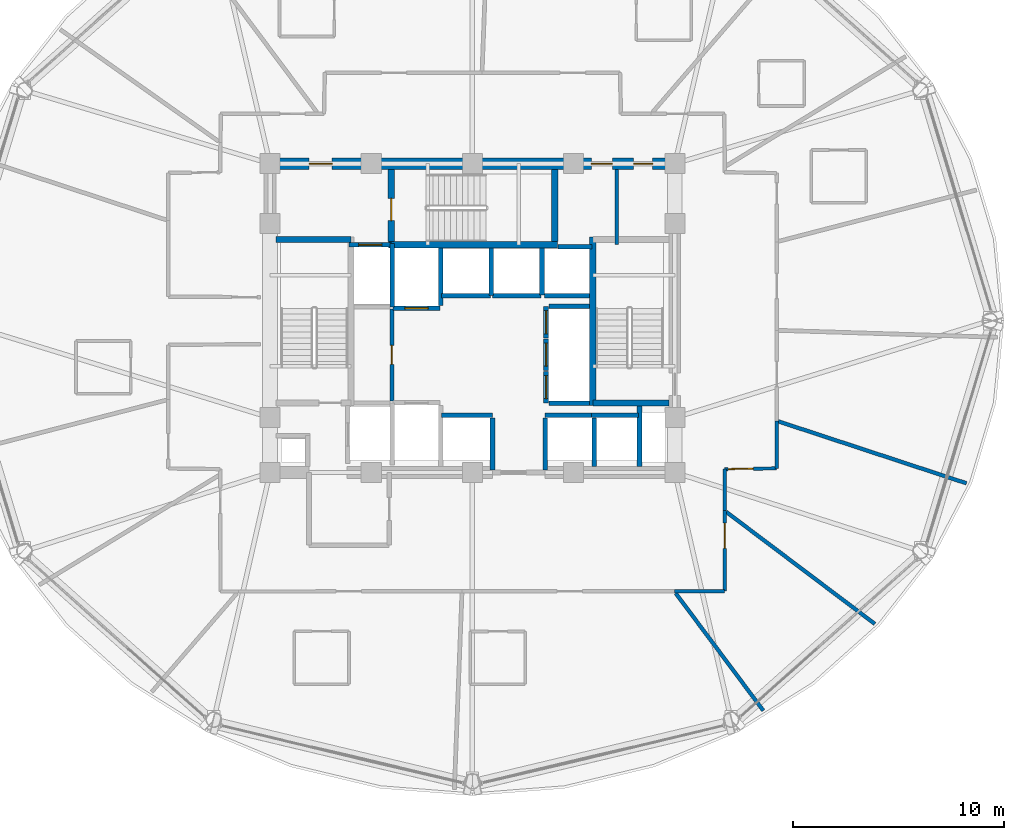
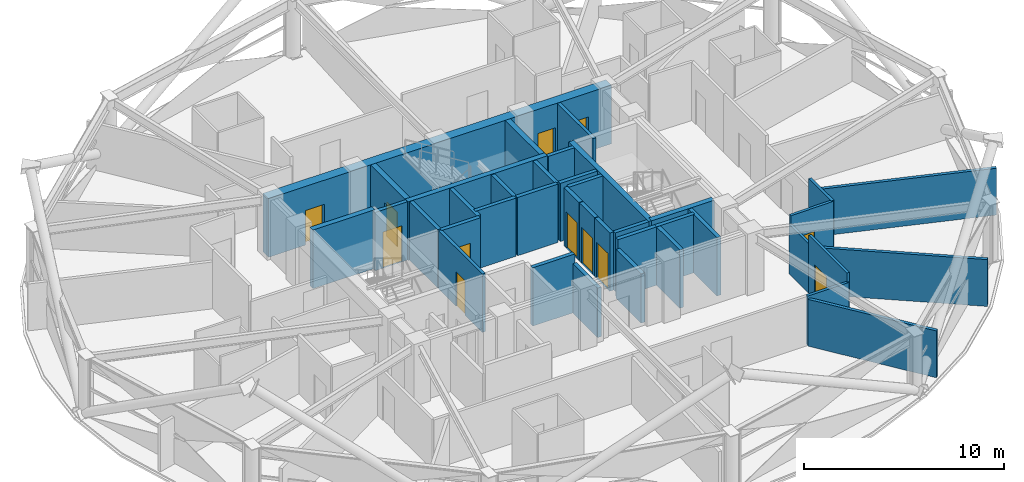
# One storey, part 23 of 29: 39 walls, 12 doors, 12 openings.
"""IFC4 building model written with IfcOpenShell, lengths in metres."""

from ifc_helpers import new_model, si_unit, direction, frame, frame_2d, origin, place, context, subcontext, project, spatial, rectangle, extrude, material, layer, layer_set, type_object, element, fill, save


model = new_model("IFC4")

# Units and contexts
model_context = context("Model", 3, precision=1e-05, world=origin(), true_north=direction((0.0, 1.0)))
body_context = subcontext(model_context, "Body", "Model", "MODEL_VIEW")
ifc_project = project(units=[si_unit("LENGTHUNIT", "METRE"), si_unit("AREAUNIT", "SQUARE_METRE"), si_unit("VOLUMEUNIT", "CUBIC_METRE"), si_unit("PLANEANGLEUNIT", "RADIAN"), si_unit("MASSUNIT", "GRAM", prefix="KILO")], contexts=[model_context])

# Site, building, storey
site_placement = place(None, origin())
site = spatial("IfcSite", under=ifc_project, at=site_placement, CompositionType="ELEMENT")
building_placement = place(site_placement, origin())
building = spatial("IfcBuilding", under=site, at=building_placement, Name="Vantalir Tower", CompositionType="ELEMENT")
storey_placement = place(building_placement, frame((0.0, 0.0, 164.699951171875)))
storey = spatial("IfcBuildingStorey", under=building, at=storey_placement, Name="L41", CompositionType="ELEMENT", Elevation=164.699951171875)

# Wall, openings, doors
ifc_material_1 = material(Name="Concrete C60/75", Category="concrete")
ifc_layer_1 = layer(ifc_material_1, 0.550048828125)
ifc_layer_set_1 = layer_set([ifc_layer_1], Name="Concrete C60/75")
wall_type_1 = type_object("IfcWallType", Name="WL-CORE-550", PredefinedType="SHEAR", material=ifc_layer_set_1)
wall_1_placement = place(storey_placement, frame((21.625, 32.449951171875, 0.0), z_axis=(0.0, 0.0, 1.0), x_axis=(1.0, 0.0, 0.0)))
wall_1 = element("IfcWall", 1, at=wall_1_placement, inside=storey, type_object=wall_type_1, Name="L41 Core Shear Wall North", PredefinedType="SHEAR", context=body_context, shape_type="SweptSolid", body=[
    extrude(rectangle(XDim=19.75, YDim=0.550048828125, at=frame_2d((9.875, 0.0))), origin(), (0.0, 0.0, 1.0), 3.570068359375),
])
opening_1_placement = place(wall_1_placement, frame((2.125, 0.0, 0.0)))
opening_1 = element("IfcOpeningElement", 2, at=opening_1_placement, cuts=wall_1, Name="Opening D-FFL", PredefinedType="OPENING", context=body_context, shape_type="SweptSolid", body=[
    extrude(rectangle(XDim=1.10009765625, YDim=2.10009765625, at=frame_2d((0.550048828125, 1.050048828125))), frame((0.0, 0.284912109375, 0.0), z_axis=(0.0, -1.0, 0.0), x_axis=(1.0, 0.0, 0.0)), (0.0, 0.0, 1.0), 0.570068359375),
])
opening_2_placement = place(wall_1_placement, frame((15.514892578125, 0.0, 0.0)))
opening_2 = element("IfcOpeningElement", 3, at=opening_2_placement, cuts=wall_1, Name="Opening D-GUEST", PredefinedType="OPENING", context=body_context, shape_type="SweptSolid", body=[
    extrude(rectangle(XDim=1.0, YDim=2.10009765625, at=frame_2d((0.5, 1.050048828125))), frame((0.0, 0.284912109375, 0.0), z_axis=(0.0, -1.0, 0.0), x_axis=(1.0, 0.0, 0.0)), (0.0, 0.0, 1.0), 0.570068359375),
])
opening_3_placement = place(wall_1_placement, frame((17.52490234375, 0.0, 0.0)))
opening_3 = element("IfcOpeningElement", 4, at=opening_3_placement, cuts=wall_1, Name="Opening D-CR", PredefinedType="OPENING", context=body_context, shape_type="SweptSolid", body=[
    extrude(rectangle(XDim=0.89990234375, YDim=2.10009765625, at=frame_2d((0.449951171875, 1.050048828125))), frame((0.0, 0.284912109375, 0.0), z_axis=(0.0, -1.0, 0.0), x_axis=(1.0, 0.0, 0.0)), (0.0, 0.0, 1.0), 0.570068359375),
])
ifc_material_2 = material(Name="Fire-rated steel core service door", Category="steel")
door_type_1 = type_object("IfcDoorType", Name="DR-CORE-SERV-900", OperationType="NOTDEFINED", PredefinedType="DOOR", material=ifc_material_2)
door_1_placement = place(opening_3_placement, frame((0.89990234375, 0.0, 0.0), z_axis=(0.0, 0.0, 1.0), x_axis=(-1.0, 0.0, 0.0)))
door_1 = element("IfcDoor", 5, at=door_1_placement, inside=storey, type_object=door_type_1, Name="L41 Housekeeping and Linen Room Door", OperationType="SINGLE_SWING_RIGHT", OverallHeight=2.10009765625, OverallWidth=0.89990234375, PredefinedType="DOOR", context=body_context, shape_type="SweptSolid", body=[
    extrude(rectangle(XDim=0.89990234375, YDim=2.10009765625, at=frame_2d((0.449951171875, 1.050048828125))), frame((0.0, 0.02490234375, 0.0), z_axis=(0.0, -1.0, 0.0), x_axis=(1.0, 0.0, 0.0)), (0.0, 0.0, 1.0), 0.050048828125),
])
fill(opening_3, door_1)
ifc_material_3 = material(Name="Fire-rated acoustic steel door", Category="steel")
door_type_2 = type_object("IfcDoorType", Name="DR-FIRE-LOBBY-1100", OperationType="NOTDEFINED", PredefinedType="DOOR", material=ifc_material_3)
door_2_placement = place(opening_1_placement, frame((1.10009765625, 0.0, 0.0), z_axis=(0.0, 0.0, 1.0), x_axis=(-1.0, 0.0, 0.0)))
door_2 = element("IfcDoor", 6, at=door_2_placement, inside=storey, type_object=door_type_2, Name="L41 Firefighting Lobby East Access Door", OperationType="SINGLE_SWING_LEFT", OverallHeight=2.10009765625, OverallWidth=1.10009765625, PredefinedType="DOOR", context=body_context, shape_type="SweptSolid", body=[
    extrude(rectangle(XDim=1.10009765625, YDim=2.10009765625, at=frame_2d((0.550048828125, 1.050048828125))), frame((0.0, 0.02490234375, 0.0), z_axis=(0.0, -1.0, 0.0), x_axis=(1.0, 0.0, 0.0)), (0.0, 0.0, 1.0), 0.050048828125),
])
fill(opening_1, door_2)
ifc_material_4 = material(Name="Solid-core teak veneer acoustic fire door", Category="wood")
door_type_3 = type_object("IfcDoorType", Name="DR-GUEST-ENTRY-1000", OperationType="NOTDEFINED", PredefinedType="DOOR", material=ifc_material_4)
door_3_placement = place(opening_2_placement, frame((1.0, 0.0, 0.0), z_axis=(0.0, 0.0, 1.0), x_axis=(-1.0, 0.0, 0.0)))
door_3 = element("IfcDoor", 7, at=door_3_placement, inside=storey, type_object=door_type_3, Name="L41 High-Rise Lift Lobby Door", OperationType="SINGLE_SWING_LEFT", OverallHeight=2.10009765625, OverallWidth=1.0, PredefinedType="DOOR", context=body_context, shape_type="SweptSolid", body=[
    extrude(rectangle(XDim=1.0, YDim=2.10009765625, at=frame_2d((0.5, 1.050048828125))), frame((0.0, 0.02490234375, 0.0), z_axis=(0.0, -1.0, 0.0), x_axis=(1.0, 0.0, 0.0)), (0.0, 0.0, 1.0), 0.050048828125),
])
fill(opening_2, door_3)

# Wall
ifc_material_5 = material(Name="Fire-rated hotel corridor acoustic partition", Category="gypsum")
ifc_layer_2 = layer(ifc_material_5, 0.159912109375)
ifc_layer_set_2 = layer_set([ifc_layer_2], Name="Fire-rated hotel corridor acoustic partition")
wall_type_2 = type_object("IfcWallType", Name="WL-CORR-160", PredefinedType="PARTITIONING", material=ifc_layer_set_2)
wall_2_placement = place(storey_placement, frame((45.925048828125, 20.251953125, 0.0), z_axis=(0.0, 0.0, 1.0), x_axis=(0.0, -1.0, 0.0)))
element("IfcWall", 8, at=wall_2_placement, inside=storey, type_object=wall_type_2, Name="L41 Corridor Partition 19", PredefinedType="PARTITIONING", context=body_context, shape_type="SweptSolid", body=[
    extrude(rectangle(XDim=2.255859375, YDim=0.159912109375, at=frame_2d((1.1279296875, 0.0))), origin(), (0.0, 0.0, 1.0), 3.550048828125),
])

# Wall, opening, door
wall_3_placement = place(storey_placement, frame((45.925048828125, 17.99609375, 0.0), z_axis=(0.0, 0.0, 1.0), x_axis=(-0.999892143369, -0.014686784162, 0.0)))
wall_3 = element("IfcWall", 9, at=wall_3_placement, inside=storey, type_object=wall_type_2, Name="L41 Corridor Partition 20", PredefinedType="PARTITIONING", context=body_context, shape_type="SweptSolid", body=[
    extrude(rectangle(XDim=2.460205078125, YDim=0.159912109375, at=frame_2d((1.22998046875, 0.0))), origin(), (0.0, 0.0, 1.0), 3.550048828125),
])
opening_4_placement = place(wall_3_placement, frame((1.10009765625, 0.0, 0.0)))
opening_4 = element("IfcOpeningElement", 10, at=opening_4_placement, cuts=wall_3, Name="Opening D-STE", PredefinedType="OPENING", context=body_context, shape_type="SweptSolid", body=[
    extrude(rectangle(XDim=1.199951171875, YDim=2.10009765625, at=frame_2d((0.60009765625, 1.050048828125))), frame((0.0, 0.08984375, 0.0), z_axis=(0.0, -1.0, 0.0), x_axis=(1.0, 0.0, 0.0)), (0.0, 0.0, 1.0), 0.179931640625),
])
ifc_material_6 = material(Name="Solid-core teak veneer suite entrance door", Category="wood")
door_type_4 = type_object("IfcDoorType", Name="DR-SUITE-ENTRY-1200", OperationType="NOTDEFINED", PredefinedType="DOOR", material=ifc_material_6)
door_4_placement = place(opening_4_placement, origin())
door_4 = element("IfcDoor", 11, at=door_4_placement, inside=storey, type_object=door_type_4, Name="L41 Club Reading Lounge 13 Door", OperationType="SINGLE_SWING_RIGHT", OverallHeight=2.10009765625, OverallWidth=1.199951171875, PredefinedType="DOOR", context=body_context, shape_type="SweptSolid", body=[
    extrude(rectangle(XDim=1.199951171875, YDim=2.10009765625, at=frame_2d((0.60009765625, 1.050048828125))), frame((0.0, 0.02490234375, 0.0), z_axis=(0.0, -1.0, 0.0), x_axis=(1.0, 0.0, 0.0)), (0.0, 0.0, 1.0), 0.050048828125),
])
fill(opening_4, door_4)

# Wall
wall_4_placement = place(storey_placement, frame((43.465087890625, 17.9599609375, 0.0), z_axis=(0.0, 0.0, 1.0), x_axis=(-0.001113722858, -0.999999379811, 0.0)))
element("IfcWall", 12, at=wall_4_placement, inside=storey, type_object=wall_type_2, Name="L41 Corridor Partition 21", PredefinedType="PARTITIONING", context=body_context, shape_type="SweptSolid", body=[
    extrude(rectangle(XDim=1.972900390625, YDim=0.159912109375, at=frame_2d((0.986328125, 0.0))), origin(), (0.0, 0.0, 1.0), 3.006103515625),
])

# Wall, opening, door
wall_5_placement = place(storey_placement, frame((43.462890625, 15.987060546875, 0.0), z_axis=(0.0, 0.0, 1.0), x_axis=(-0.001278526092, -0.999999182685, 0.0)))
wall_5 = element("IfcWall", 13, at=wall_5_placement, inside=storey, type_object=wall_type_2, Name="L41 Corridor Partition 22", PredefinedType="PARTITIONING", context=body_context, shape_type="SweptSolid", body=[
    extrude(rectangle(XDim=3.819091796875, YDim=0.159912109375, at=frame_2d((1.90966796875, 0.0))), origin(), (0.0, 0.0, 1.0), 3.550048828125),
])
opening_5_placement = place(wall_5_placement, frame((0.591064453125, 0.0, 0.0)))
opening_5 = element("IfcOpeningElement", 14, at=opening_5_placement, cuts=wall_5, Name="Opening D-STE", PredefinedType="OPENING", context=body_context, shape_type="SweptSolid", body=[
    extrude(rectangle(XDim=1.199951171875, YDim=2.10009765625, at=frame_2d((0.60009765625, 1.050048828125))), frame((0.0, 0.08984375, 0.0), z_axis=(0.0, -1.0, 0.0), x_axis=(1.0, 0.0, 0.0)), (0.0, 0.0, 1.0), 0.179931640625),
])
door_5_placement = place(opening_5_placement, origin())
door_5 = element("IfcDoor", 15, at=door_5_placement, inside=storey, type_object=door_type_4, Name="L41 Executive Business Study 12 Door", OperationType="SINGLE_SWING_LEFT", OverallHeight=2.10009765625, OverallWidth=1.199951171875, PredefinedType="DOOR", context=body_context, shape_type="SweptSolid", body=[
    extrude(rectangle(XDim=1.199951171875, YDim=2.10009765625, at=frame_2d((0.60009765625, 1.050048828125))), frame((0.0, 0.02490234375, 0.0), z_axis=(0.0, -1.0, 0.0), x_axis=(1.0, 0.0, 0.0)), (0.0, 0.0, 1.0), 0.050048828125),
])
fill(opening_5, door_5)

# Walls
wall_6_placement = place(storey_placement, frame((43.4580078125, 12.16796875, 0.0), z_axis=(0.0, 0.0, 1.0), x_axis=(-0.99999991624, -0.000409290869, 0.0)))
element("IfcWall", 16, at=wall_6_placement, inside=storey, type_object=wall_type_2, Name="L41 Corridor Partition 23", PredefinedType="PARTITIONING", context=body_context, shape_type="SweptSolid", body=[
    extrude(rectangle(XDim=2.385986328125, YDim=0.159912109375, at=frame_2d((1.19287109375, 0.0))), origin(), (0.0, 0.0, 1.0), 3.006103515625),
])
ifc_material_7 = material(Name="Concrete blockwork with fireboard lining", Category="masonry")
ifc_layer_3 = layer(ifc_material_7, 0.219970703125)
ifc_layer_set_3 = layer_set([ifc_layer_3], Name="Concrete blockwork with fireboard lining")
wall_type_3 = type_object("IfcWallType", Name="WL-FFL-220", PredefinedType="PARTITIONING", material=ifc_layer_set_3)
for number, where, z_axis, x_axis, name in (
    (17, (32.449951171875, 17.919921875, 0.0), (0.0, 0.0, 1.0), (0.0, 1.0, 0.0), "L41 Shuttle Lift PL-X1 East Shaft Cheek"),
    (18, (34.949951171875, 17.919921875, 0.0), (0.0, 0.0, 1.0), (0.0, 1.0, 0.0), "L41 Shuttle Lift PL-X3 West Shaft Cheek"),
):
    element("IfcWall", number, at=place(storey_placement, frame(where, z_axis=z_axis, x_axis=x_axis)), inside=storey, type_object=wall_type_3, Name=name, PredefinedType="PARTITIONING", context=body_context, shape_type="SweptSolid", body=[
        extrude(rectangle(XDim=2.469970703125, YDim=0.219970703125, at=frame_2d((1.23486328125, 0.0))), origin(), (0.0, 0.0, 1.0), 3.006103515625),
    ])
wall_7_placement = place(storey_placement, frame((37.27490234375, 18.080078125, 0.0), z_axis=(0.0, 0.0, 1.0), x_axis=(0.0, 1.0, 0.0)))
element("IfcWall", 19, at=wall_7_placement, inside=storey, type_object=wall_type_3, Name="L41 Shuttle Lift PL-X2/X3 Shaft Divider", PredefinedType="PARTITIONING", context=body_context, shape_type="SweptSolid", body=[
    extrude(rectangle(XDim=2.309814453125, YDim=0.219970703125, at=frame_2d((1.15478515625, 0.0))), origin(), (0.0, 0.0, 1.0), 3.545166015625),
])
wall_8_placement = place(storey_placement, frame((30.0, 25.7099609375, 0.0), z_axis=(0.0, 0.0, 1.0), x_axis=(0.0, 1.0, 0.0)))
element("IfcWall", 20, at=wall_8_placement, inside=storey, type_object=wall_type_3, Name="L41 Service Lift SV2 East Shaft Wall", PredefinedType="PARTITIONING", context=body_context, shape_type="SweptSolid", body=[
    extrude(rectangle(XDim=2.72998046875, YDim=0.219970703125, at=frame_2d((1.364990234375, 0.0))), origin(), (0.0, 0.0, 1.0), 3.545166015625),
])
wall_9_placement = place(storey_placement, frame((32.39990234375, 26.199951171875, 0.0), z_axis=(0.0, 0.0, 1.0), x_axis=(0.0, 1.0, 0.0)))
element("IfcWall", 21, at=wall_9_placement, inside=storey, type_object=wall_type_3, Name="L41 High-Rise Lift PL-H1/H2 Shaft Divider", PredefinedType="PARTITIONING", context=body_context, shape_type="SweptSolid", body=[
    extrude(rectangle(XDim=2.239990234375, YDim=0.219970703125, at=frame_2d((1.1201171875, 0.0))), origin(), (0.0, 0.0, 1.0), 3.545166015625),
])
wall_10_placement = place(storey_placement, frame((34.800048828125, 26.22998046875, 0.0), z_axis=(0.0, 0.0, 1.0), x_axis=(0.0, 1.0, 0.0)))
element("IfcWall", 22, at=wall_10_placement, inside=storey, type_object=wall_type_3, Name="L41 High-Rise Lift PL-H2/H3 Shaft Divider", PredefinedType="PARTITIONING", context=body_context, shape_type="SweptSolid", body=[
    extrude(rectangle(XDim=2.2099609375, YDim=0.219970703125, at=frame_2d((1.10498046875, 0.0))), origin(), (0.0, 0.0, 1.0), 3.545166015625),
])
wall_11_placement = place(storey_placement, frame((34.909912109375, 26.18994140625, 0.0), z_axis=(0.0, 0.0, 1.0), x_axis=(1.0, 0.0, 0.0)))
element("IfcWall", 23, at=wall_11_placement, inside=storey, type_object=wall_type_3, Name="L41 High-Rise Lift PL-H3 Rear Shaft Wall", PredefinedType="PARTITIONING", context=body_context, shape_type="SweptSolid", body=[
    extrude(rectangle(XDim=2.14013671875, YDim=0.219970703125, at=frame_2d((1.070068359375, 0.0))), origin(), (0.0, 0.0, 1.0), 3.545166015625),
])
wall_12_placement = place(storey_placement, frame((39.419921875, 18.074951171875, 0.0), z_axis=(0.0, 0.0, 1.0), x_axis=(0.0, 1.0, 0.0)))
element("IfcWall", 24, at=wall_12_placement, inside=storey, type_object=wall_type_3, Name="L41 East MEP Riser Wall W", PredefinedType="PARTITIONING", context=body_context, shape_type="SweptSolid", body=[
    extrude(rectangle(XDim=2.875, YDim=0.219970703125, at=frame_2d((1.4375, 0.0))), origin(), (0.0, 0.0, 1.0), 3.550048828125),
])

# Wall, opening, door
wall_13_placement = place(storey_placement, frame((25.639892578125, 28.610107421875, 0.0), z_axis=(0.0, 0.0, 1.0), x_axis=(1.0, 0.0, 0.0)))
wall_13 = element("IfcWall", 25, at=wall_13_placement, inside=storey, type_object=wall_type_3, Name="L41 Lift FL2 Shaft Front Wall", PredefinedType="PARTITIONING", context=body_context, shape_type="SweptSolid", body=[
    extrude(rectangle(XDim=2.02001953125, YDim=0.219970703125, at=frame_2d((1.010009765625, 0.0))), origin(), (0.0, 0.0, 1.0), 3.550048828125),
])
opening_6_placement = place(wall_13_placement, frame((0.4599609375, 0.0, 0.0)))
opening_6 = element("IfcOpeningElement", 26, at=opening_6_placement, cuts=wall_13, Name="Opening LD-FL2", PredefinedType="OPENING", context=body_context, shape_type="SweptSolid", body=[
    extrude(rectangle(XDim=1.10009765625, YDim=2.199951171875, at=frame_2d((0.550048828125, 1.10009765625))), frame((0.0, 0.119873046875, 0.0), z_axis=(0.0, -1.0, 0.0), x_axis=(1.0, 0.0, 0.0)), (0.0, 0.0, 1.0), 0.239990234375),
])
ifc_material_8 = material(Name="Brushed stainless-steel sliding lift landing door", Category="steel")
door_type_5 = type_object("IfcDoorType", Name="DR-LIFT-LANDING-1100", OperationType="DOUBLE_DOOR_SLIDING", PredefinedType="DOOR", material=ifc_material_8)
door_6_placement = place(opening_6_placement, origin())
door_6 = element("IfcDoor", 27, at=door_6_placement, inside=storey, type_object=door_type_5, Name="L41 Lift Landing Door FL2", OperationType="DOUBLE_DOOR_SLIDING", OverallHeight=2.199951171875, OverallWidth=1.10009765625, PredefinedType="DOOR", context=body_context, shape_type="SweptSolid", body=[
    extrude(rectangle(XDim=1.10009765625, YDim=2.199951171875, at=frame_2d((0.550048828125, 1.10009765625))), frame((0.0, 0.02490234375, 0.0), z_axis=(0.0, -1.0, 0.0), x_axis=(1.0, 0.0, 0.0)), (0.0, 0.0, 1.0), 0.050048828125),
])
fill(opening_6, door_6)

wall_14_placement = place(storey_placement, frame((27.739990234375, 25.590087890625, 0.0), z_axis=(0.0, 0.0, 1.0), x_axis=(1.0, 0.0, 0.0)))
wall_14 = element("IfcWall", 28, at=wall_14_placement, inside=storey, type_object=wall_type_3, Name="L41 Lift SV2 Shaft Front Wall", PredefinedType="PARTITIONING", context=body_context, shape_type="SweptSolid", body=[
    extrude(rectangle(XDim=2.219970703125, YDim=0.219970703125, at=frame_2d((1.10986328125, 0.0))), origin(), (0.0, 0.0, 1.0), 3.550048828125),
])
opening_7_placement = place(wall_14_placement, frame((0.56005859375, 0.0, 0.0)))
opening_7 = element("IfcOpeningElement", 29, at=opening_7_placement, cuts=wall_14, Name="Opening LD-SV2", PredefinedType="OPENING", context=body_context, shape_type="SweptSolid", body=[
    extrude(rectangle(XDim=1.10009765625, YDim=2.199951171875, at=frame_2d((0.550048828125, 1.10009765625))), frame((0.0, 0.119873046875, 0.0), z_axis=(0.0, -1.0, 0.0), x_axis=(1.0, 0.0, 0.0)), (0.0, 0.0, 1.0), 0.239990234375),
])
door_7_placement = place(opening_7_placement, frame((1.10009765625, 0.0, 0.0), z_axis=(0.0, 0.0, 1.0), x_axis=(-1.0, 0.0, 0.0)))
door_7 = element("IfcDoor", 30, at=door_7_placement, inside=storey, type_object=door_type_5, Name="L41 Lift Landing Door SV2", OperationType="DOUBLE_DOOR_SLIDING", OverallHeight=2.199951171875, OverallWidth=1.10009765625, PredefinedType="DOOR", context=body_context, shape_type="SweptSolid", body=[
    extrude(rectangle(XDim=1.10009765625, YDim=2.199951171875, at=frame_2d((0.550048828125, 1.10009765625))), frame((0.0, 0.02490234375, 0.0), z_axis=(0.0, -1.0, 0.0), x_axis=(1.0, 0.0, 0.0)), (0.0, 0.0, 1.0), 0.050048828125),
])
fill(opening_7, door_7)

# Walls
wall_15_placement = place(storey_placement, frame((30.0400390625, 20.510009765625, 0.0), z_axis=(0.0, 0.0, 1.0), x_axis=(1.0, 0.0, 0.0)))
element("IfcWall", 31, at=wall_15_placement, inside=storey, type_object=wall_type_3, Name="L41 Lift PL-X1 Shaft Front Wall", PredefinedType="PARTITIONING", context=body_context, shape_type="SweptSolid", body=[
    extrude(rectangle(XDim=2.419921875, YDim=0.219970703125, at=frame_2d((1.2099609375, 0.0))), origin(), (0.0, 0.0, 1.0), 3.550048828125),
])
for number, where, z_axis, x_axis, name in (
    (32, (37.139892578125, 20.510009765625, 0.0), (0.0, 0.0, 1.0), (1.0, 0.0, 0.0), "L41 Lift PL-X2 Shaft Rear Wall"),
    (33, (34.93994140625, 20.510009765625, 0.0), (0.0, 0.0, 1.0), (1.0, 0.0, 0.0), "L41 Lift PL-X3 Shaft Front Wall"),
):
    element("IfcWall", number, at=place(storey_placement, frame(where, z_axis=z_axis, x_axis=x_axis)), inside=storey, type_object=wall_type_3, Name=name, PredefinedType="PARTITIONING", context=body_context, shape_type="SweptSolid", body=[
        extrude(rectangle(XDim=2.239990234375, YDim=0.219970703125, at=frame_2d((1.1201171875, 0.0))), origin(), (0.0, 0.0, 1.0), 3.550048828125),
    ])
for number, where, z_axis, x_axis, name in (
    (34, (30.0400390625, 26.18994140625, 0.0), (0.0, 0.0, 1.0), (1.0, 0.0, 0.0), "L41 Lift PL-H1 Shaft Front Wall"),
    (35, (32.43994140625, 26.18994140625, 0.0), (0.0, 0.0, 1.0), (1.0, 0.0, 0.0), "L41 Lift PL-H2 Shaft Front Wall"),
):
    element("IfcWall", number, at=place(storey_placement, frame(where, z_axis=z_axis, x_axis=x_axis)), inside=storey, type_object=wall_type_3, Name=name, PredefinedType="PARTITIONING", context=body_context, shape_type="SweptSolid", body=[
        extrude(rectangle(XDim=2.320068359375, YDim=0.219970703125, at=frame_2d((1.16015625, 0.0))), origin(), (0.0, 0.0, 1.0), 3.550048828125),
    ])
wall_16_placement = place(storey_placement, frame((35.56005859375, 28.510009765625, 0.0), z_axis=(0.0, 0.0, 1.0), x_axis=(1.0, 0.0, 0.0)))
element("IfcWall", 36, at=wall_16_placement, inside=storey, type_object=wall_type_3, Name="L41 Lift PL-H3 Shaft Front Wall", PredefinedType="PARTITIONING", context=body_context, shape_type="SweptSolid", body=[
    extrude(rectangle(XDim=1.599853515625, YDim=0.219970703125, at=frame_2d((0.7998046875, 0.0))), origin(), (0.0, 0.0, 1.0), 3.550048828125),
])

# Wall, opening, door
wall_17_placement = place(storey_placement, frame((34.989990234375, 21.10009765625, 0.0), z_axis=(0.0, 0.0, 1.0), x_axis=(0.0, 1.0, 0.0)))
wall_17 = element("IfcWall", 37, at=wall_17_placement, inside=storey, type_object=wall_type_3, Name="L41 Lift PL-M1 Shaft Front Wall", PredefinedType="PARTITIONING", context=body_context, shape_type="SweptSolid", body=[
    extrude(rectangle(XDim=1.5, YDim=0.219970703125, at=frame_2d((0.75, 0.0))), origin(), (0.0, 0.0, 1.0), 3.550048828125),
])
opening_8_placement = place(wall_17_placement, frame((0.199951171875, 0.0, 0.0)))
opening_8 = element("IfcOpeningElement", 38, at=opening_8_placement, cuts=wall_17, Name="Opening LD-PL-M1", PredefinedType="OPENING", context=body_context, shape_type="SweptSolid", body=[
    extrude(rectangle(XDim=1.10009765625, YDim=2.199951171875, at=frame_2d((0.550048828125, 1.10009765625))), frame((0.0, 0.119873046875, 0.0), z_axis=(0.0, -1.0, 0.0), x_axis=(1.0, 0.0, 0.0)), (0.0, 0.0, 1.0), 0.239990234375),
])
door_8_placement = place(opening_8_placement, origin())
door_8 = element("IfcDoor", 39, at=door_8_placement, inside=storey, type_object=door_type_5, Name="L41 Lift Landing Door PL-M1", OperationType="DOUBLE_DOOR_SLIDING", OverallHeight=2.199951171875, OverallWidth=1.10009765625, PredefinedType="DOOR", context=body_context, shape_type="SweptSolid", body=[
    extrude(rectangle(XDim=1.10009765625, YDim=2.199951171875, at=frame_2d((0.550048828125, 1.10009765625))), frame((0.0, 0.02490234375, 0.0), z_axis=(0.0, -1.0, 0.0), x_axis=(1.0, 0.0, 0.0)), (0.0, 0.0, 1.0), 0.050048828125),
])
fill(opening_8, door_8)

wall_18_placement = place(storey_placement, frame((34.989990234375, 22.639892578125, 0.0), z_axis=(0.0, 0.0, 1.0), x_axis=(0.0, 1.0, 0.0)))
wall_18 = element("IfcWall", 40, at=wall_18_placement, inside=storey, type_object=wall_type_3, Name="L41 Lift PL-M2 Shaft Front Wall", PredefinedType="PARTITIONING", context=body_context, shape_type="SweptSolid", body=[
    extrude(rectangle(XDim=1.5, YDim=0.219970703125, at=frame_2d((0.75, 0.0))), origin(), (0.0, 0.0, 1.0), 3.550048828125),
])
opening_9_placement = place(wall_18_placement, frame((0.199951171875, 0.0, 0.0)))
opening_9 = element("IfcOpeningElement", 41, at=opening_9_placement, cuts=wall_18, Name="Opening LD-PL-M2", PredefinedType="OPENING", context=body_context, shape_type="SweptSolid", body=[
    extrude(rectangle(XDim=1.10009765625, YDim=2.199951171875, at=frame_2d((0.550048828125, 1.10009765625))), frame((0.0, 0.119873046875, 0.0), z_axis=(0.0, -1.0, 0.0), x_axis=(1.0, 0.0, 0.0)), (0.0, 0.0, 1.0), 0.239990234375),
])
door_9_placement = place(opening_9_placement, origin())
door_9 = element("IfcDoor", 42, at=door_9_placement, inside=storey, type_object=door_type_5, Name="L41 Lift Landing Door PL-M2", OperationType="DOUBLE_DOOR_SLIDING", OverallHeight=2.199951171875, OverallWidth=1.10009765625, PredefinedType="DOOR", context=body_context, shape_type="SweptSolid", body=[
    extrude(rectangle(XDim=1.10009765625, YDim=2.199951171875, at=frame_2d((0.550048828125, 1.10009765625))), frame((0.0, 0.02490234375, 0.0), z_axis=(0.0, -1.0, 0.0), x_axis=(1.0, 0.0, 0.0)), (0.0, 0.0, 1.0), 0.050048828125),
])
fill(opening_9, door_9)

wall_19_placement = place(storey_placement, frame((34.989990234375, 24.179931640625, 0.0), z_axis=(0.0, 0.0, 1.0), x_axis=(0.0, 1.0, 0.0)))
wall_19 = element("IfcWall", 43, at=wall_19_placement, inside=storey, type_object=wall_type_3, Name="L41 Lift PL-M3 Shaft Front Wall", PredefinedType="PARTITIONING", context=body_context, shape_type="SweptSolid", body=[
    extrude(rectangle(XDim=1.5, YDim=0.219970703125, at=frame_2d((0.75, 0.0))), origin(), (0.0, 0.0, 1.0), 3.550048828125),
])
opening_10_placement = place(wall_19_placement, frame((0.199951171875, 0.0, 0.0)))
opening_10 = element("IfcOpeningElement", 44, at=opening_10_placement, cuts=wall_19, Name="Opening LD-PL-M3", PredefinedType="OPENING", context=body_context, shape_type="SweptSolid", body=[
    extrude(rectangle(XDim=1.10009765625, YDim=2.199951171875, at=frame_2d((0.550048828125, 1.10009765625))), frame((0.0, 0.119873046875, 0.0), z_axis=(0.0, -1.0, 0.0), x_axis=(1.0, 0.0, 0.0)), (0.0, 0.0, 1.0), 0.239990234375),
])
door_10_placement = place(opening_10_placement, origin())
door_10 = element("IfcDoor", 45, at=door_10_placement, inside=storey, type_object=door_type_5, Name="L41 Lift Landing Door PL-M3", OperationType="DOUBLE_DOOR_SLIDING", OverallHeight=2.199951171875, OverallWidth=1.10009765625, PredefinedType="DOOR", context=body_context, shape_type="SweptSolid", body=[
    extrude(rectangle(XDim=1.10009765625, YDim=2.199951171875, at=frame_2d((0.550048828125, 1.10009765625))), frame((0.0, 0.02490234375, 0.0), z_axis=(0.0, -1.0, 0.0), x_axis=(1.0, 0.0, 0.0)), (0.0, 0.0, 1.0), 0.050048828125),
])
fill(opening_10, door_10)

# Walls
wall_20_placement = place(storey_placement, frame((27.699951171875, 25.64990234375, 0.0), z_axis=(0.0, 0.0, 1.0), x_axis=(0.0, 1.0, 0.0)))
element("IfcWall", 46, at=wall_20_placement, inside=storey, type_object=wall_type_3, Name="L41 Fire Lift FL2 Dividing Wall", PredefinedType="PARTITIONING", context=body_context, shape_type="SweptSolid", body=[
    extrude(rectangle(XDim=3.0, YDim=0.219970703125, at=frame_2d((1.5, 0.0))), origin(), (0.0, 0.0, 1.0), 3.550048828125),
])
for number, where, z_axis, x_axis, name in (
    (47, (35.1201171875, 21.080078125, 0.0), (0.0, 0.0, 1.0), (1.0, 0.0, 0.0), "L41 Mid-Rise Bank South Wall"),
    (48, (35.1201171875, 25.679931640625, 0.0), (0.0, 0.0, 1.0), (1.0, 0.0, 0.0), "L41 Mid-Rise Bank North Wall"),
):
    element("IfcWall", number, at=place(storey_placement, frame(where, z_axis=z_axis, x_axis=x_axis)), inside=storey, type_object=wall_type_3, Name=name, PredefinedType="PARTITIONING", context=body_context, shape_type="SweptSolid", body=[
        extrude(rectangle(XDim=1.93994140625, YDim=0.219970703125, at=frame_2d((0.969970703125, 0.0))), origin(), (0.0, 0.0, 1.0), 3.550048828125),
    ])

# Wall, opening, door
ifc_material_9 = material(Name="Twin-stud acoustic fire-rated gypsum partition", Category="gypsum")
ifc_layer_4 = layer(ifc_material_9, 0.179931640625)
ifc_layer_set_4 = layer_set([ifc_layer_4], Name="Twin-stud acoustic fire-rated gypsum partition")
wall_type_4 = type_object("IfcWallType", Name="WL-GUEST-180", PredefinedType="PARTITIONING", material=ifc_layer_set_4)
wall_21_placement = place(storey_placement, frame((27.679931640625, 21.18994140625, 0.0), z_axis=(0.0, 0.0, 1.0), x_axis=(0.0, 1.0, 0.0)))
wall_21 = element("IfcWall", 49, at=wall_21_placement, inside=storey, type_object=wall_type_4, Name="L41 West Pantry East Wall", PredefinedType="PARTITIONING", context=body_context, shape_type="SweptSolid", body=[
    extrude(rectangle(XDim=4.3701171875, YDim=0.179931640625, at=frame_2d((2.18505859375, 0.0))), origin(), (0.0, 0.0, 1.0), 3.550048828125),
])
opening_11_placement = place(wall_21_placement, frame((1.735107421875, 0.0, 0.0)))
opening_11 = element("IfcOpeningElement", 50, at=opening_11_placement, cuts=wall_21, Name="Opening D-CR", PredefinedType="OPENING", context=body_context, shape_type="SweptSolid", body=[
    extrude(rectangle(XDim=0.89990234375, YDim=2.10009765625, at=frame_2d((0.449951171875, 1.050048828125))), frame((0.0, 0.099853515625, 0.0), z_axis=(0.0, -1.0, 0.0), x_axis=(1.0, 0.0, 0.0)), (0.0, 0.0, 1.0), 0.199951171875),
])
door_11_placement = place(opening_11_placement, origin())
door_11 = element("IfcDoor", 51, at=door_11_placement, inside=storey, type_object=door_type_1, Name="L41 Core Pantry Door", OperationType="SINGLE_SWING_LEFT", OverallHeight=2.10009765625, OverallWidth=0.89990234375, PredefinedType="DOOR", context=body_context, shape_type="SweptSolid", body=[
    extrude(rectangle(XDim=0.89990234375, YDim=2.10009765625, at=frame_2d((0.449951171875, 1.050048828125))), frame((0.0, 0.02490234375, 0.0), z_axis=(0.0, -1.0, 0.0), x_axis=(1.0, 0.0, 0.0)), (0.0, 0.0, 1.0), 0.050048828125),
])
fill(opening_11, door_11)

# Walls
wall_22_placement = place(storey_placement, frame((38.340087890625, 28.6201171875, 0.0), z_axis=(0.0, 0.0, 1.0), x_axis=(0.0, 1.0, 0.0)))
element("IfcWall", 52, at=wall_22_placement, inside=storey, type_object=wall_type_4, Name="L41 High-Rise Lift Lobby East Wall", PredefinedType="PARTITIONING", context=body_context, shape_type="SweptSolid", body=[
    extrude(rectangle(XDim=3.554931640625, YDim=0.179931640625, at=frame_2d((1.77734375, 0.0))), origin(), (0.0, 0.0, 1.0), 3.550048828125),
])
wall_23_placement = place(storey_placement, frame((41.139892578125, 12.074951171875, 0.0), z_axis=(0.0, 0.0, 1.0), x_axis=(0.597946680124, -0.8015358805, 0.0)))
element("IfcWall", 53, at=wall_23_placement, inside=storey, type_object=wall_type_4, Name="L41 Radial Suite Partition 12", PredefinedType="PARTITIONING", context=body_context, shape_type="SweptSolid", body=[
    extrude(rectangle(XDim=6.950439453125, YDim=0.179931640625, at=frame_2d((3.47509765625, 0.0))), origin(), (0.0, 0.0, 1.0), 2.85205078125),
])
wall_24_placement = place(storey_placement, frame((43.5400390625, 15.927978515625, 0.0), z_axis=(0.0, 0.0, 1.0), x_axis=(0.798722893144, -0.601699044347, 0.0)))
element("IfcWall", 54, at=wall_24_placement, inside=storey, type_object=wall_type_4, Name="L41 Radial Suite Partition 13", PredefinedType="PARTITIONING", context=body_context, shape_type="SweptSolid", body=[
    extrude(rectangle(XDim=8.821533203125, YDim=0.179931640625, at=frame_2d((4.41064453125, 0.0))), origin(), (0.0, 0.0, 1.0), 2.85205078125),
])
wall_25_placement = place(storey_placement, frame((46.0, 20.22705078125, 0.0), z_axis=(0.0, 0.0, 1.0), x_axis=(0.949880965401, -0.312611822502, 0.0)))
element("IfcWall", 55, at=wall_25_placement, inside=storey, type_object=wall_type_4, Name="L41 Radial Suite Partition 14", PredefinedType="PARTITIONING", context=body_context, shape_type="SweptSolid", body=[
    extrude(rectangle(XDim=9.404541015625, YDim=0.179931640625, at=frame_2d((4.7021484375, 0.0))), origin(), (0.0, 0.0, 1.0), 2.85205078125),
])
ifc_material_10 = material(Name="Concrete C50/60", Category="concrete")
ifc_layer_5 = layer(ifc_material_10, 0.300048828125)
ifc_layer_set_5 = layer_set([ifc_layer_5], Name="Concrete C50/60")
wall_type_5 = type_object("IfcWallType", Name="WL-STAIR-300", PredefinedType="SHEAR", material=ifc_layer_set_5)
wall_26_placement = place(storey_placement, frame((22.175048828125, 28.85009765625, 0.0), z_axis=(0.0, 0.0, 1.0), x_axis=(1.0, 0.0, 0.0)))
element("IfcWall", 56, at=wall_26_placement, inside=storey, type_object=wall_type_5, Name="L41 Stair ST1 North Wall", PredefinedType="SHEAR", context=body_context, shape_type="SweptSolid", body=[
    extrude(rectangle(XDim=3.56494140625, YDim=0.300048828125, at=frame_2d((1.782470703125, 0.0))), origin(), (0.0, 0.0, 1.0), 3.570068359375),
])
wall_27_placement = place(storey_placement, frame((37.2099609375, 21.10009765625, 0.0), z_axis=(0.0, 0.0, 1.0), x_axis=(1.0, 0.0, 0.0)))
element("IfcWall", 57, at=wall_27_placement, inside=storey, type_object=wall_type_5, Name="L41 Stair ST2 South Wall", PredefinedType="SHEAR", context=body_context, shape_type="SweptSolid", body=[
    extrude(rectangle(XDim=3.614990234375, YDim=0.300048828125, at=frame_2d((1.8076171875, 0.0))), origin(), (0.0, 0.0, 1.0), 3.570068359375),
])
wall_28_placement = place(storey_placement, frame((37.2099609375, 20.97998046875, 0.0), z_axis=(0.0, 0.0, 1.0), x_axis=(0.0, 1.0, 0.0)))
element("IfcWall", 58, at=wall_28_placement, inside=storey, type_object=wall_type_5, Name="L41 Stair ST2 West Wall", PredefinedType="SHEAR", context=body_context, shape_type="SweptSolid", body=[
    extrude(rectangle(XDim=7.989990234375, YDim=0.300048828125, at=frame_2d((3.9951171875, 0.0))), origin(), (0.0, 0.0, 1.0), 3.570068359375),
])
wall_29_placement = place(storey_placement, frame((27.510009765625, 28.60009765625, 0.0), z_axis=(0.0, 0.0, 1.0), x_axis=(1.0, 0.0, 0.0)))
element("IfcWall", 59, at=wall_29_placement, inside=storey, type_object=wall_type_5, Name="L41 Stair ST3 South Wall", PredefinedType="SHEAR", context=body_context, shape_type="SweptSolid", body=[
    extrude(rectangle(XDim=8.030029296875, YDim=0.300048828125, at=frame_2d((4.01513671875, 0.0))), origin(), (0.0, 0.0, 1.0), 3.570068359375),
])

# Wall, opening, door
wall_30_placement = place(storey_placement, frame((27.64990234375, 28.75, 0.0), z_axis=(0.0, 0.0, 1.0), x_axis=(0.0, 1.0, 0.0)))
wall_30 = element("IfcWall", 60, at=wall_30_placement, inside=storey, type_object=wall_type_5, Name="L41 Stair ST3 West Wall", PredefinedType="SHEAR", context=body_context, shape_type="SweptSolid", body=[
    extrude(rectangle(XDim=3.425048828125, YDim=0.300048828125, at=frame_2d((1.71240234375, 0.0))), origin(), (0.0, 0.0, 1.0), 3.570068359375),
])
opening_12_placement = place(wall_30_placement, frame((1.0, 0.0, 0.0)))
opening_12 = element("IfcOpeningElement", 61, at=opening_12_placement, cuts=wall_30, Name="Opening D-ST", PredefinedType="OPENING", context=body_context, shape_type="SweptSolid", body=[
    extrude(rectangle(XDim=1.050048828125, YDim=2.10009765625, at=frame_2d((0.52490234375, 1.050048828125))), frame((0.0, 0.159912109375, 0.0), z_axis=(0.0, -1.0, 0.0), x_axis=(1.0, 0.0, 0.0)), (0.0, 0.0, 1.0), 0.320068359375),
])
ifc_material_11 = material(Name="Fire-rated steel door leaf", Category="steel")
door_type_6 = type_object("IfcDoorType", Name="DR-FIRE-STAIR-1050", OperationType="NOTDEFINED", PredefinedType="DOOR", material=ifc_material_11)
door_12_placement = place(opening_12_placement, frame((1.050048828125, 0.0, 0.0), z_axis=(0.0, 0.0, 1.0), x_axis=(-1.0, 0.0, 0.0)))
door_12 = element("IfcDoor", 62, at=door_12_placement, inside=storey, type_object=door_type_6, Name="L41 Exit Stair ST3 Fire Door", OperationType="SINGLE_SWING_RIGHT", OverallHeight=2.10009765625, OverallWidth=1.050048828125, PredefinedType="DOOR", context=body_context, shape_type="SweptSolid", body=[
    extrude(rectangle(XDim=1.050048828125, YDim=2.10009765625, at=frame_2d((0.52490234375, 1.050048828125))), frame((0.0, 0.02490234375, 0.0), z_axis=(0.0, -1.0, 0.0), x_axis=(1.0, 0.0, 0.0)), (0.0, 0.0, 1.0), 0.050048828125),
])
fill(opening_12, door_12)

# Wall
wall_31_placement = place(storey_placement, frame((35.39990234375, 28.75, 0.0), z_axis=(0.0, 0.0, 1.0), x_axis=(0.0, 1.0, 0.0)))
element("IfcWall", 63, at=wall_31_placement, inside=storey, type_object=wall_type_5, Name="L41 Stair ST3 East Wall", PredefinedType="SHEAR", context=body_context, shape_type="SweptSolid", body=[
    extrude(rectangle(XDim=3.425048828125, YDim=0.300048828125, at=frame_2d((1.71240234375, 0.0))), origin(), (0.0, 0.0, 1.0), 3.570068359375),
])

save(model, "model.ifc")
